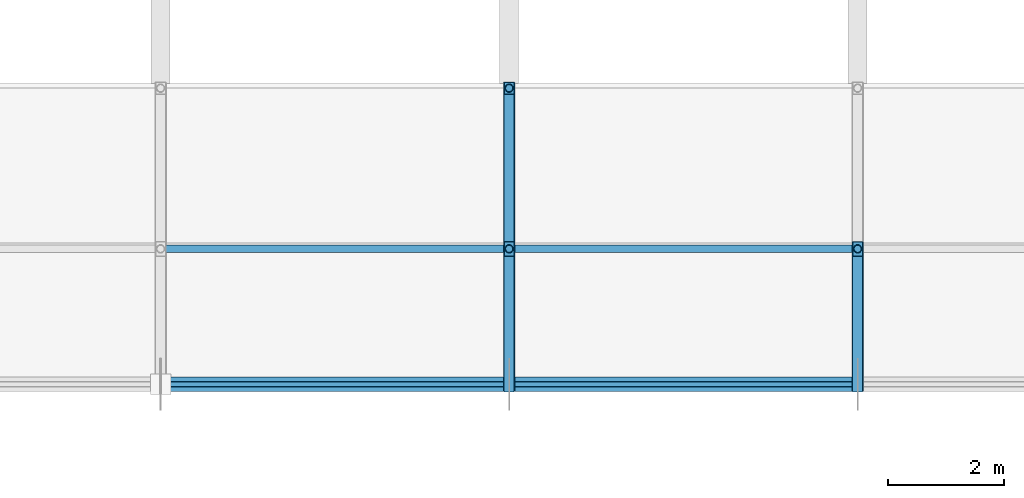
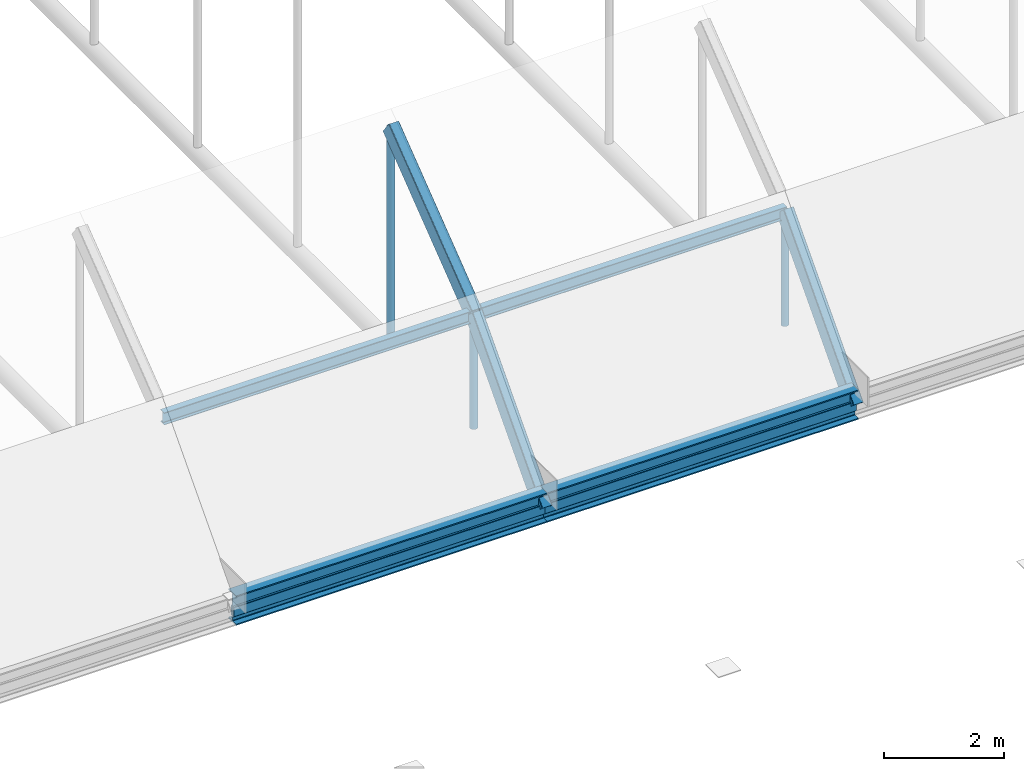
# One storey, part 42 of 116: 7 members, 5 beams.
"""IFC4 building model written with IfcOpenShell, lengths in metres."""

from ifc_helpers import new_model, si_unit, direction, frame, origin, origin_2d, place, context, subcontext, project, spatial, hollow_rectangle, hollow_circle, i_section, extrude, material, material_profile, profile_set, type_object, element, save


model = new_model("IFC4")

# Units and contexts
model_context = context("Model", 3, precision=1e-05, world=origin(), true_north=direction((0.0, 1.0)))
body_context = subcontext(model_context, "Body", "Model", "MODEL_VIEW")
ifc_project = project(units=[si_unit("LENGTHUNIT", "METRE"), si_unit("AREAUNIT", "SQUARE_METRE"), si_unit("VOLUMEUNIT", "CUBIC_METRE"), si_unit("PLANEANGLEUNIT", "RADIAN"), si_unit("MASSUNIT", "GRAM", prefix="KILO")], contexts=[model_context])

# Site, building, storey
site_placement = place(None, origin())
site = spatial("IfcSite", under=ifc_project, at=site_placement, CompositionType="ELEMENT")
building_placement = place(site_placement, origin())
building = spatial("IfcBuilding", under=site, at=building_placement, Name="Varnakota Square Police Headquarters", CompositionType="ELEMENT")
storey_placement = place(building_placement, frame((0.0, 0.0, 9.300048828125)))
storey = spatial("IfcBuildingStorey", under=building, at=storey_placement, Name="L02", CompositionType="ELEMENT", Elevation=9.300048828125)

# Beams
ifc_material = material(Name="Steel IS 2062 Grade 350", Category="steel")
ifc_material_profile_1 = material_profile(ifc_material, i_section(OverallWidth=0.25, OverallDepth=0.60009765625, WebThickness=0.01171875, FlangeThickness=0.023681640625, FilletRadius=0.01708984375, at=origin_2d()), Name="ISWB 600")
ifc_profile_set_1 = profile_set([ifc_material_profile_1], Name="Steel IS 2062 Grade 350")
beam_type_1 = type_object("IfcBeamType", Name="BM-ISWB600", PredefinedType="BEAM", material=ifc_profile_set_1)
for number, where, z_axis, x_axis, name in (
    (1, (66.0, 9.0, -0.300048828125), (1.0, 0.0, 0.0), (0.0, 1.0, 0.0), "Vault V1 south ring beam"),
    (2, (72.0, 9.0, -0.300048828125), (1.0, 0.0, 0.0), (0.0, 1.0, 0.0), "Vault V1 south ring beam"),
):
    element("IfcBeam", number, at=place(storey_placement, frame(where, z_axis=z_axis, x_axis=x_axis)), inside=storey, type_object=beam_type_1, Name=name, PredefinedType="BEAM", context=body_context, shape_type="SweptSolid", body=[
        extrude(i_section(OverallWidth=0.25, OverallDepth=0.60009765625, WebThickness=0.01171875, FlangeThickness=0.023681640625, FilletRadius=0.01708984375, at=origin_2d()), origin(), (0.0, 0.0, 1.0), 6.0),
    ])
ifc_material_profile_2 = material_profile(ifc_material, hollow_rectangle(XDim=0.199951171875, YDim=0.35009765625, WallThickness=0.011962890625, InnerFilletRadius=0.011962890625, OuterFilletRadius=0.02392578125, at=origin_2d()), Name="RHS 350x200x12")
ifc_profile_set_2 = profile_set([ifc_material_profile_2], Name="Steel IS 2062 Grade 350")
beam_type_2 = type_object("IfcBeamType", Name="BM-VR-RHS350", PredefinedType="BEAM", material=ifc_profile_set_2)
beam_1_placement = place(storey_placement, frame((72.0, 9.0, -0.3916015625), z_axis=(0.0, 0.671520631111, 0.740985858159), x_axis=(-1.0, 0.0, 0.0)))
element("IfcBeam", 3, at=beam_1_placement, inside=storey, type_object=beam_type_2, Name="Barrel vault arch rib chord VR-V1-R04-S01", PredefinedType="BEAM", context=body_context, shape_type="SweptSolid", body=[
    extrude(hollow_rectangle(XDim=0.199951171875, YDim=0.35009765625, WallThickness=0.011962890625, InnerFilletRadius=0.011962890625, OuterFilletRadius=0.02392578125, at=origin_2d()), origin(), (0.0, 0.0, 1.0), 3.472412109375),
])
beam_2_placement = place(storey_placement, frame((72.0, 11.331787109375, 2.181396484375), z_axis=(0.0, 0.792062306817, 0.610440252703), x_axis=(-1.0, 0.0, 0.0)))
element("IfcBeam", 4, at=beam_2_placement, inside=storey, type_object=beam_type_2, Name="Barrel vault arch rib chord VR-V1-R04-S02", PredefinedType="BEAM", context=body_context, shape_type="SweptSolid", body=[
    extrude(hollow_rectangle(XDim=0.199951171875, YDim=0.35009765625, WallThickness=0.011962890625, InnerFilletRadius=0.011962890625, OuterFilletRadius=0.02392578125, at=origin_2d()), origin(), (0.0, 0.0, 1.0), 3.4921875),
])
beam_3_placement = place(storey_placement, frame((78.0, 9.0, -0.3916015625), z_axis=(0.0, 0.671520631111, 0.740985858159), x_axis=(-1.0, 0.0, 0.0)))
element("IfcBeam", 5, at=beam_3_placement, inside=storey, type_object=beam_type_2, Name="Barrel vault arch rib chord VR-V1-R05-S01", PredefinedType="BEAM", context=body_context, shape_type="SweptSolid", body=[
    extrude(hollow_rectangle(XDim=0.199951171875, YDim=0.35009765625, WallThickness=0.011962890625, InnerFilletRadius=0.011962890625, OuterFilletRadius=0.02392578125, at=origin_2d()), origin(), (0.0, 0.0, 1.0), 3.472412109375),
])

# Members
ifc_material_profile_3 = material_profile(ifc_material, hollow_circle(Radius=0.06982421875, WallThickness=0.006103515625, at=origin_2d()), Name="CHS 139.7x6.0")
ifc_profile_set_3 = profile_set([ifc_material_profile_3], Name="Steel IS 2062 Grade 350")
member_type_1 = type_object("IfcMemberType", Name="MEM-HNG-CHS139", PredefinedType="STRUT", material=ifc_profile_set_3)
member_1_placement = place(storey_placement, frame((72.0, 11.331787109375, -0.150146484375), z_axis=(0.0, 0.0, 1.0), x_axis=(1.0, 0.0, 0.0)))
element("IfcMember", 6, at=member_1_placement, inside=storey, type_object=member_type_1, Name="Barrel vault hanger strut V1-R04-N1", PredefinedType="STRUT", context=body_context, shape_type="SweptSolid", body=[
    extrude(hollow_circle(Radius=0.06982421875, WallThickness=0.006103515625, at=origin_2d()), origin(), (0.0, 0.0, 1.0), 2.33154296875),
])
member_2_placement = place(storey_placement, frame((72.0, 14.097900390625, -0.150146484375), z_axis=(0.0, 0.0, 1.0), x_axis=(1.0, 0.0, 0.0)))
element("IfcMember", 7, at=member_2_placement, inside=storey, type_object=member_type_1, Name="Barrel vault hanger strut V1-R04-N2", PredefinedType="STRUT", context=body_context, shape_type="SweptSolid", body=[
    extrude(hollow_circle(Radius=0.06982421875, WallThickness=0.006103515625, at=origin_2d()), origin(), (0.0, 0.0, 1.0), 4.46337890625),
])
member_3_placement = place(storey_placement, frame((78.0, 11.331787109375, -0.150146484375), z_axis=(0.0, 0.0, 1.0), x_axis=(1.0, 0.0, 0.0)))
element("IfcMember", 8, at=member_3_placement, inside=storey, type_object=member_type_1, Name="Barrel vault hanger strut V1-R05-N1", PredefinedType="STRUT", context=body_context, shape_type="SweptSolid", body=[
    extrude(hollow_circle(Radius=0.06982421875, WallThickness=0.006103515625, at=origin_2d()), origin(), (0.0, 0.0, 1.0), 2.33154296875),
])
ifc_material_profile_4 = material_profile(ifc_material, i_section(OverallWidth=0.125, OverallDepth=0.25, WebThickness=0.0068359375, FlangeThickness=0.012451171875, FilletRadius=0.012939453125, at=origin_2d()), Name="ISMB 250")
ifc_profile_set_4 = profile_set([ifc_material_profile_4], Name="Steel IS 2062 Grade 350")
member_type_2 = type_object("IfcMemberType", Name="MEM-PUR-ISMB250", PredefinedType="PURLIN", material=ifc_profile_set_4)
for number, where, z_axis, x_axis, name in (
    (9, (66.0, 11.331787109375, 2.156494140625), (1.0, 0.0, 0.0), (0.0, 1.0, 0.0), "Vault roof purlin V1-B03-N01"),
    (10, (72.0, 11.331787109375, 2.156494140625), (1.0, 0.0, 0.0), (0.0, 1.0, 0.0), "Vault roof purlin V1-B04-N01"),
):
    element("IfcMember", number, at=place(storey_placement, frame(where, z_axis=z_axis, x_axis=x_axis)), inside=storey, type_object=member_type_2, Name=name, PredefinedType="PURLIN", context=body_context, shape_type="SweptSolid", body=[
        extrude(i_section(OverallWidth=0.125, OverallDepth=0.25, WebThickness=0.0068359375, FlangeThickness=0.012451171875, FilletRadius=0.012939453125, at=origin_2d()), origin(), (0.0, 0.0, 1.0), 6.0),
    ])
ifc_material_profile_5 = material_profile(ifc_material, hollow_rectangle(XDim=0.10009765625, YDim=0.199951171875, WallThickness=0.008056640625, InnerFilletRadius=0.008056640625, OuterFilletRadius=0.01611328125, at=origin_2d()), Name="RHS 200x100x8")
ifc_profile_set_5 = profile_set([ifc_material_profile_5], Name="Steel IS 2062 Grade 350")
member_type_3 = type_object("IfcMemberType", Name="MEM-PUR-RHS200", PredefinedType="PURLIN", material=ifc_profile_set_5)
for number, where, z_axis, x_axis, name in (
    (11, (66.0, 9.0, -0.377685546875), (1.0, 0.0, 0.0), (0.0, 1.0, 0.0), "Vault roof purlin V1-B03-N00"),
    (12, (72.0, 9.0, -0.377685546875), (1.0, 0.0, 0.0), (0.0, 1.0, 0.0), "Vault roof purlin V1-B04-N00"),
):
    element("IfcMember", number, at=place(storey_placement, frame(where, z_axis=z_axis, x_axis=x_axis)), inside=storey, type_object=member_type_3, Name=name, PredefinedType="PURLIN", context=body_context, shape_type="SweptSolid", body=[
        extrude(hollow_rectangle(XDim=0.10009765625, YDim=0.199951171875, WallThickness=0.008056640625, InnerFilletRadius=0.008056640625, OuterFilletRadius=0.01611328125, at=origin_2d()), origin(), (0.0, 0.0, 1.0), 6.0),
    ])

save(model, "model.ifc")
